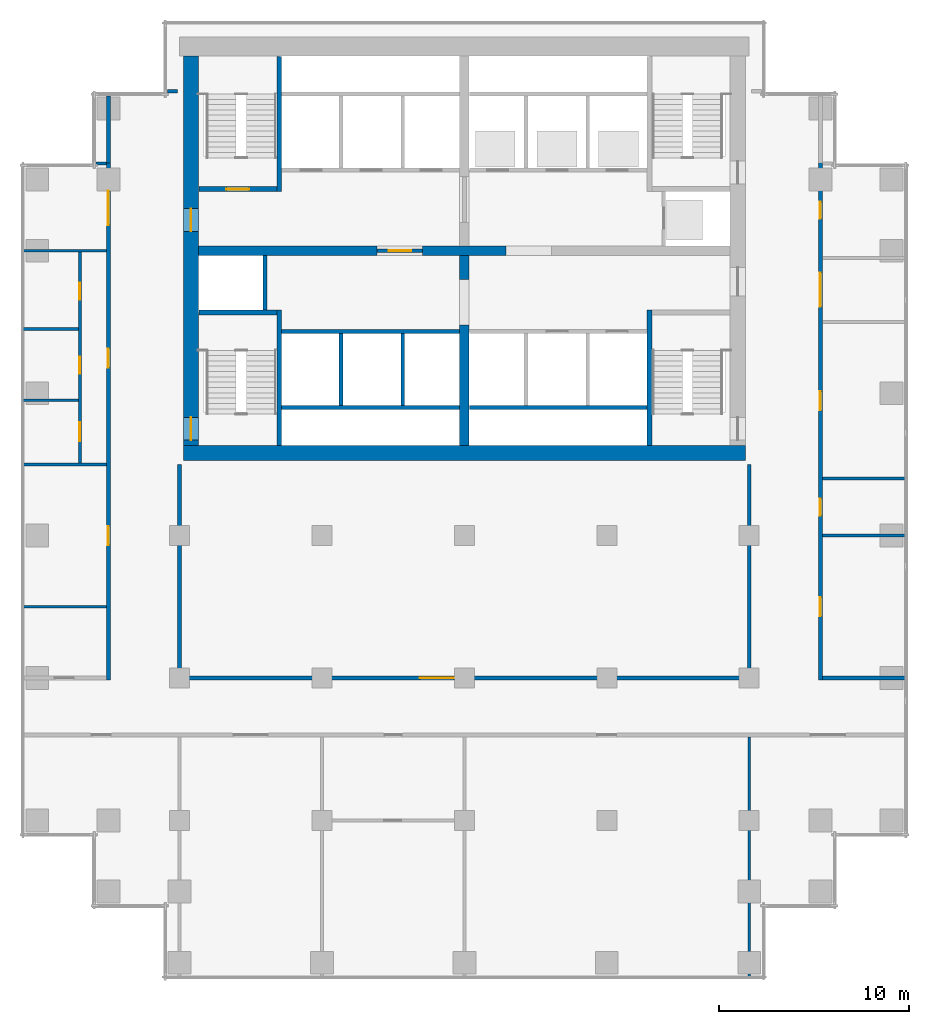
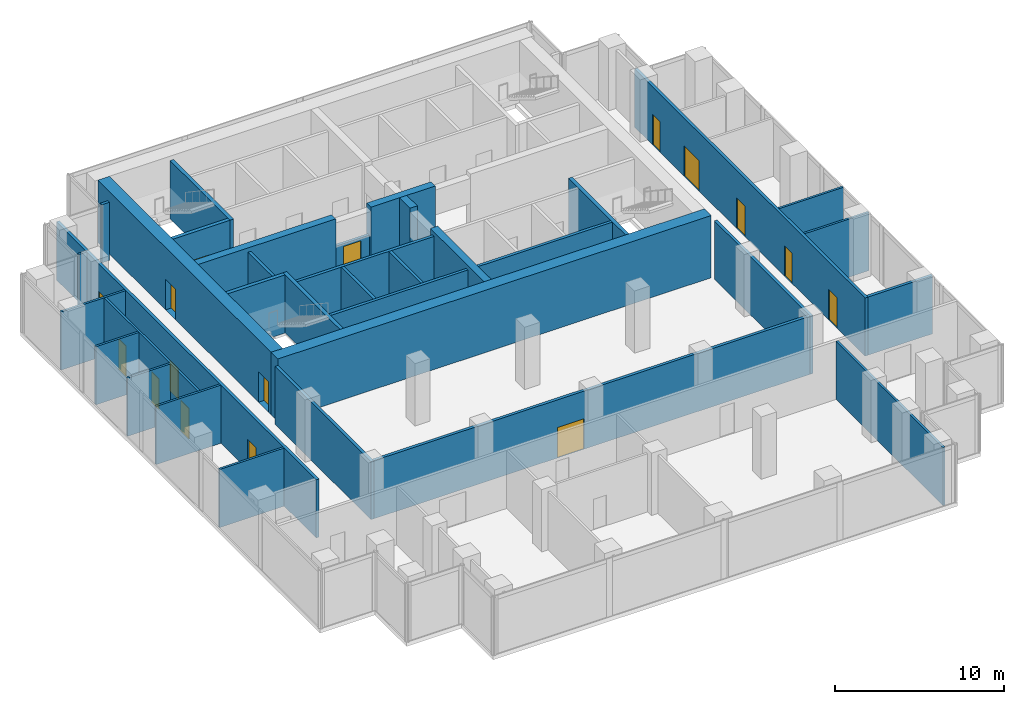
# One storey, part 4 of 8: 36 walls, 16 doors, 16 openings.
"""IFC4 building model written with IfcOpenShell, lengths in metres."""

import ifcopenshell
import ifcopenshell.guid

model = None  # the IFC model being written
_history = None  # IfcOwnerHistory: only IFC2X3 demands one
_inside = {}  # id of a spatial element -> (the spatial element, [elements in it])
_under = {}  # id of a project, library or spatial element -> (it, [spatial elements below it])
_declared = {}  # id of a project -> (the project, [libraries it declares])
_typed = {}  # id of a type object -> (the type object, [elements of that type])
_made_of = {}  # id of a material, layer set ... -> (it, [elements and type objects made of it])


def new_model(schema):
    """Start an empty IFC model of exactly this schema.

    Asked for "IFC4X3", IfcOpenShell would pick the latest addendum, in which some entities
    have other attributes; the version numbers below select the first issue.
    IFC2X3 requires an IfcOwnerHistory on every rooted entity: one is made here for all.
    """
    global model, _history
    if schema == "IFC4X3":
        model = ifcopenshell.file(schema_version=(4, 3, 0, 0))
    else:
        model = ifcopenshell.file(schema=schema)
    _inside.clear()
    _under.clear()
    _declared.clear()
    _typed.clear()
    _made_of.clear()
    _history = None
    if model.schema == "IFC2X3":
        org = make("IfcOrganization", Name="unknown")
        user = make(
            "IfcPersonAndOrganization",
            ThePerson=make("IfcPerson", FamilyName="unknown"),
            TheOrganization=org,
        )
        app = make(
            "IfcApplication",
            ApplicationDeveloper=org,
            Version="unknown",
            ApplicationFullName="unknown",
            ApplicationIdentifier="unknown",
        )
        _history = make(
            "IfcOwnerHistory",
            OwningUser=user,
            OwningApplication=app,
            ChangeAction="ADDED",
            CreationDate=0,
        )
    return model


def make(cls, **values):
    """One entity of the class cls with the attributes given. An attribute that is None is left unset."""
    return model.create_entity(
        cls, **{name: value for name, value in values.items() if value is not None}
    )


def rooted(cls, **values):
    """An entity with a GlobalId (a new one), such as an element, a storey or a relation."""
    return make(cls, GlobalId=ifcopenshell.guid.new(), OwnerHistory=_history, **values)


def si_unit(unit_type, name, prefix=None):
    """IfcSIUnit, for example si_unit("LENGTHUNIT", "METRE", prefix="MILLI")."""
    return make("IfcSIUnit", UnitType=unit_type, Prefix=prefix, Name=name)


def assignment(units):
    """IfcUnitAssignment: the units of a project."""
    return None if units is None else make("IfcUnitAssignment", Units=units)


def point(xyz):
    """IfcCartesianPoint."""
    return None if xyz is None else make("IfcCartesianPoint", Coordinates=xyz)


def direction(xyz):
    """IfcDirection."""
    return None if xyz is None else make("IfcDirection", DirectionRatios=xyz)


def frame(location, z_axis=None, x_axis=None):
    """IfcAxis2Placement3D, a coordinate frame: its origin and axes. An axis left out is left unset."""
    return make(
        "IfcAxis2Placement3D",
        Location=point(location),
        Axis=direction(z_axis),
        RefDirection=direction(x_axis),
    )


def frame_2d(location, x_axis=None):
    """IfcAxis2Placement2D, a coordinate frame in the plane: its origin and x axis."""
    return make(
        "IfcAxis2Placement2D", Location=point(location), RefDirection=direction(x_axis)
    )


def origin():
    """The frame at (0, 0, 0) with its axes left unset."""
    return frame((0.0, 0.0, 0.0))


def place(relative_to, where):
    """IfcLocalPlacement: puts the frame where relative to a parent placement (None: the world)."""
    return make(
        "IfcLocalPlacement", PlacementRelTo=relative_to, RelativePlacement=where
    )


def context(
    kind, dimensions, precision=None, world=None, true_north=None, identifier=None
):
    """IfcGeometricRepresentationContext, for example the 3D "Model" context."""
    return make(
        "IfcGeometricRepresentationContext",
        ContextIdentifier=identifier,
        ContextType=kind,
        CoordinateSpaceDimension=dimensions,
        Precision=precision,
        WorldCoordinateSystem=world,
        TrueNorth=true_north,
    )


def subcontext(parent, identifier, kind, view, scale=None):
    """IfcGeometricRepresentationSubContext, for example "Body" below "Model"."""
    return make(
        "IfcGeometricRepresentationSubContext",
        ContextIdentifier=identifier,
        ContextType=kind,
        ParentContext=parent,
        TargetScale=scale,
        TargetView=view,
    )


def project(units=None, contexts=None):
    """IfcProject with its units and contexts."""
    return rooted(
        "IfcProject",
        Name="project",
        RepresentationContexts=contexts,
        UnitsInContext=assignment(units),
    )


def spatial(cls, under=None, at=None, **own):
    """A site, building, storey or space (cls), placed at a placement, below another one or the project."""
    s = rooted(cls, ObjectPlacement=at, **own)
    if under is not None:
        _under.setdefault(under.id(), (under, []))[1].append(s)
    return s


def profile(cls, at=None, kind="AREA", **sizes):
    """A parametric profile (cls). Its sizes go by their IFC names, for example OverallWidth=200.0."""
    return make(cls, ProfileType=kind, Position=at, **sizes)


def rectangle(**sizes):
    """IfcRectangleProfileDef."""
    return profile("IfcRectangleProfileDef", **sizes)


def extrude(swept, where, along, depth):
    """IfcExtrudedAreaSolid: the profile swept, set in the frame where, extruded along a direction by depth."""
    return make(
        "IfcExtrudedAreaSolid",
        SweptArea=swept,
        Position=where,
        ExtrudedDirection=direction(along),
        Depth=depth,
    )


def shape(context_of_items, identifier, shape_type, items):
    """IfcShapeRepresentation: the items that make up one representation, for example the "Body"."""
    return make(
        "IfcShapeRepresentation",
        ContextOfItems=context_of_items,
        RepresentationIdentifier=identifier,
        RepresentationType=shape_type,
        Items=items,
    )


def material(Name=None, Category=None):
    """IfcMaterial."""
    return make("IfcMaterial", Name=Name, Category=Category)


def layer(
    of_material, thickness, ventilated=None, Name=None, Category=None, Priority=None
):
    """IfcMaterialLayer: one layer of a wall or slab, of a material (None: an air gap)."""
    return make(
        "IfcMaterialLayer",
        Material=of_material,
        LayerThickness=thickness,
        IsVentilated=ventilated,
        Name=Name,
        Category=Category,
        Priority=Priority,
    )


def layer_set(layers, Name=None):
    """IfcMaterialLayerSet."""
    return make("IfcMaterialLayerSet", MaterialLayers=layers, LayerSetName=Name)


def made_of(thing, what):
    """Note that an element or type object is made of a material, layer set ...; save() writes the relation."""
    if what is not None:
        _made_of.setdefault(what.id(), (what, []))[1].append(thing)
    return thing


def type_object(cls, material=None, **own):
    """A type object (cls), such as IfcWallType, which elements share."""
    return made_of(rooted(cls, **own), material)


def element(
    cls,
    number,
    at=None,
    inside=None,
    cuts=None,
    type_object=None,
    material=None,
    context=None,
    identifier="Body",
    shape_type=None,
    held_by="IfcProductDefinitionShape",
    body=None,
    shapes=None,
    **own,
):
    """One element of the class cls, such as IfcWall. Its Tag is "e" and its number.

    at: its placement. inside: the storey or other place that contains it. cuts: it is an
    opening in that element (IfcRelVoidsElement). A single representation is given by context,
    identifier, shape_type and body (its items); several are given by shapes. held_by: the class
    of the entity that holds the representations. save() writes the other relations.
    """
    e = rooted(cls, Tag="e%d" % number, ObjectPlacement=at, **own)
    if body is not None:
        shapes = [shape(context, identifier, shape_type, body)]
    if shapes is not None:
        e.Representation = make(held_by, Representations=shapes)
    if inside is not None:
        _inside.setdefault(inside.id(), (inside, []))[1].append(e)
    if cuts is not None:
        rooted(
            "IfcRelVoidsElement", RelatingBuildingElement=cuts, RelatedOpeningElement=e
        )
    if type_object is not None:
        _typed.setdefault(type_object.id(), (type_object, []))[1].append(e)
    return made_of(e, material)


def fill(opening, filler):
    """IfcRelFillsElement: the door or window that sits in an opening."""
    return rooted(
        "IfcRelFillsElement",
        RelatingOpeningElement=opening,
        RelatedBuildingElement=filler,
    )


def aggregate(whole, parts):
    """IfcRelAggregates: a whole, such as a stair, and the parts it consists of."""
    return rooted("IfcRelAggregates", RelatingObject=whole, RelatedObjects=parts)


def save(model, path):
    """Write the relations noted so far, then the file.

    IfcRelAggregates (storeys below a building ...), IfcRelContainedInSpatialStructure (elements
    in a storey), IfcRelDefinesByType, IfcRelAssociatesMaterial and IfcRelDeclares: one each for
    every whole, place, type object, material and project.
    """
    for whole, parts in _under.values():
        aggregate(whole, parts)
    for where, things in _inside.values():
        rooted(
            "IfcRelContainedInSpatialStructure",
            RelatedElements=things,
            RelatingStructure=where,
        )
    for kind, things in _typed.values():
        rooted("IfcRelDefinesByType", RelatedObjects=things, RelatingType=kind)
    for what, things in _made_of.values():
        rooted("IfcRelAssociatesMaterial", RelatedObjects=things, RelatingMaterial=what)
    for by, libraries in _declared.values():
        rooted("IfcRelDeclares", RelatingContext=by, RelatedDefinitions=libraries)
    model.write(path)


model = new_model("IFC4")

# Units and contexts
model_context = context("Model", 3, precision=1e-05, world=origin(), true_north=direction((0.0, 1.0)))
body_context = subcontext(model_context, "Body", "Model", "MODEL_VIEW")
ifc_project = project(units=[si_unit("LENGTHUNIT", "METRE"), si_unit("AREAUNIT", "SQUARE_METRE"), si_unit("VOLUMEUNIT", "CUBIC_METRE"), si_unit("PLANEANGLEUNIT", "RADIAN"), si_unit("MASSUNIT", "GRAM", prefix="KILO")], contexts=[model_context])

# Site, building, storey
site_placement = place(None, origin())
site = spatial("IfcSite", under=ifc_project, at=site_placement, CompositionType="ELEMENT")
building_placement = place(site_placement, origin())
building = spatial("IfcBuilding", under=site, at=building_placement, Name="Pilkhan Gate Tower", CompositionType="ELEMENT")
storey_placement = place(building_placement, frame((0.0, 0.0, 143.199951171875)))
storey = spatial("IfcBuildingStorey", under=building, at=storey_placement, Name="L36", CompositionType="ELEMENT", Elevation=143.199951171875)

# Wall
ifc_material_1 = material(Name="Concrete C60/75", Category="concrete")
ifc_layer_1 = layer(ifc_material_1, 0.800048828125)
ifc_layer_set_1 = layer_set([ifc_layer_1], Name="Core wall CW800 C60/75")
wall_type_1 = type_object("IfcWallType", Name="Core wall CW800 C60/75", PredefinedType="SHEAR", material=ifc_layer_set_1)
wall_1_placement = place(storey_placement, frame((60.199951171875, 71.85009765625, 0.0), z_axis=(0.0, 0.0, 1.0), x_axis=(1.0, 0.0, 0.0)))
element("IfcWall", 1, at=wall_1_placement, inside=storey, type_object=wall_type_1, Name="Core wall S L36", PredefinedType="SHEAR", context=body_context, shape_type="SweptSolid", body=[
    extrude(rectangle(XDim=29.60009765625, YDim=0.800048828125, at=frame_2d((14.800048828125, 0.0))), origin(), (0.0, 0.0, 1.0), 4.5),
])

# Wall, openings, doors
wall_2_placement = place(storey_placement, frame((60.60009765625, 92.75, 0.0), z_axis=(0.0, 0.0, 1.0), x_axis=(0.0, -1.0, 0.0)))
wall_2 = element("IfcWall", 2, at=wall_2_placement, inside=storey, type_object=wall_type_1, Name="Core wall W L36", PredefinedType="SHEAR", context=body_context, shape_type="SweptSolid", body=[
    extrude(rectangle(XDim=20.5, YDim=0.800048828125, at=frame_2d((10.25, 0.0))), origin(), (0.0, 0.0, 1.0), 4.5),
])
opening_1_placement = place(wall_2_placement, frame((19.02490234375, 0.0, 0.0)))
opening_1 = element("IfcOpeningElement", 3, at=opening_1_placement, cuts=wall_2, Name="Opening L36-04", PredefinedType="OPENING", context=body_context, shape_type="SweptSolid", body=[
    extrude(rectangle(XDim=1.199951171875, YDim=2.199951171875, at=frame_2d((0.60009765625, 1.10009765625))), frame((0.0, 0.409912109375, 0.0), z_axis=(0.0, -1.0, 0.0), x_axis=(1.0, 0.0, 0.0)), (0.0, 0.0, 1.0), 0.820068359375),
])
opening_2_placement = place(wall_2_placement, frame((8.02490234375, 0.0, 0.0)))
opening_2 = element("IfcOpeningElement", 4, at=opening_2_placement, cuts=wall_2, Name="Opening L36-08", PredefinedType="OPENING", context=body_context, shape_type="SweptSolid", body=[
    extrude(rectangle(XDim=1.199951171875, YDim=2.199951171875, at=frame_2d((0.60009765625, 1.10009765625))), frame((0.0, 0.409912109375, 0.0), z_axis=(0.0, -1.0, 0.0), x_axis=(1.0, 0.0, 0.0)), (0.0, 0.0, 1.0), 0.820068359375),
])
ifc_material_2 = material(Name="Steel door, 120 minute fire resisting, self-closing", Category="steel")
door_type_1 = type_object("IfcDoorType", Name="Firefighting lobby door D10 1200x2200", OperationType="SINGLE_SWING_LEFT", PredefinedType="DOOR", material=ifc_material_2)
door_1_placement = place(opening_2_placement, origin())
door_1 = element("IfcDoor", 5, at=door_1_placement, inside=storey, type_object=door_type_1, Name="Core door", OperationType="SINGLE_SWING_LEFT", OverallHeight=2.199951171875, OverallWidth=1.199951171875, PredefinedType="DOOR", context=body_context, shape_type="SweptSolid", body=[
    extrude(rectangle(XDim=1.199951171875, YDim=2.199951171875, at=frame_2d((0.60009765625, 1.10009765625))), frame((0.0, 0.02490234375, 0.0), z_axis=(0.0, -1.0, 0.0), x_axis=(1.0, 0.0, 0.0)), (0.0, 0.0, 1.0), 0.050048828125),
])
fill(opening_2, door_1)
ifc_material_3 = material(Name="Steel door, 120 minute fire resisting, panic bar", Category="steel")
door_type_2 = type_object("IfcDoorType", Name="Stair door D11 1200x2200", OperationType="SINGLE_SWING_LEFT", PredefinedType="DOOR", material=ifc_material_3)
door_2_placement = place(opening_1_placement, origin())
door_2 = element("IfcDoor", 6, at=door_2_placement, inside=storey, type_object=door_type_2, Name="Stair ST2 door", OperationType="SINGLE_SWING_LEFT", OverallHeight=2.199951171875, OverallWidth=1.199951171875, PredefinedType="DOOR", context=body_context, shape_type="SweptSolid", body=[
    extrude(rectangle(XDim=1.199951171875, YDim=2.199951171875, at=frame_2d((0.60009765625, 1.10009765625))), frame((0.0, 0.02490234375, 0.0), z_axis=(0.0, -1.0, 0.0), x_axis=(1.0, 0.0, 0.0)), (0.0, 0.0, 1.0), 0.050048828125),
])
fill(opening_1, door_2)

# Wall, opening, door
ifc_material_4 = material(Name="Dense blockwork", Category="masonry")
ifc_layer_2 = layer(ifc_material_4, 0.199951171875)
ifc_layer_set_2 = layer_set([ifc_layer_2], Name="Corridor wall FW200")
wall_type_2 = type_object("IfcWallType", Name="Corridor wall FW200", PredefinedType="PARTITIONING", material=ifc_layer_set_2)
wall_3_placement = place(storey_placement, frame((60.10009765625, 60.0, 0.0), z_axis=(0.0, 0.0, 1.0), x_axis=(1.0, 0.0, 0.0)))
wall_3 = element("IfcWall", 7, at=wall_3_placement, inside=storey, type_object=wall_type_2, Name="Partition L36", PredefinedType="PARTITIONING", context=body_context, shape_type="SweptSolid", body=[
    extrude(rectangle(XDim=29.7998046875, YDim=0.199951171875, at=frame_2d((14.89990234375, 0.0))), origin(), (0.0, 0.0, 1.0), 4.199951171875),
])
opening_3_placement = place(wall_3_placement, frame((12.550048828125, 0.0, 0.0)))
opening_3 = element("IfcOpeningElement", 8, at=opening_3_placement, cuts=wall_3, Name="Opening L36-09", PredefinedType="OPENING", context=body_context, shape_type="SweptSolid", body=[
    extrude(rectangle(XDim=1.800048828125, YDim=2.199951171875, at=frame_2d((0.89990234375, 1.10009765625))), frame((0.0, 0.10986328125, 0.0), z_axis=(0.0, -1.0, 0.0), x_axis=(1.0, 0.0, 0.0)), (0.0, 0.0, 1.0), 0.219970703125),
])
ifc_material_5 = material(Name="Timber glazed double door, 30 minute fire resisting", Category="wood")
door_type_3 = type_object("IfcDoorType", Name="Double door D04 1800x2200", OperationType="DOUBLE_DOOR_SINGLE_SWING", PredefinedType="DOOR", material=ifc_material_5)
door_3_placement = place(opening_3_placement, origin())
door_3 = element("IfcDoor", 9, at=door_3_placement, inside=storey, type_object=door_type_3, Name="Double door", OperationType="DOUBLE_DOOR_SINGLE_SWING", OverallHeight=2.199951171875, OverallWidth=1.800048828125, PredefinedType="DOOR", context=body_context, shape_type="SweptSolid", body=[
    extrude(rectangle(XDim=1.800048828125, YDim=2.199951171875, at=frame_2d((0.89990234375, 1.10009765625))), frame((0.0, 0.02490234375, 0.0), z_axis=(0.0, -1.0, 0.0), x_axis=(1.0, 0.0, 0.0)), (0.0, 0.0, 1.0), 0.050048828125),
])
fill(opening_3, door_3)

# Walls
wall_4_placement = place(storey_placement, frame((93.85009765625, 60.0, 0.0), z_axis=(0.0, 0.0, 1.0), x_axis=(1.0, 0.0, 0.0)))
element("IfcWall", 10, at=wall_4_placement, inside=storey, type_object=wall_type_2, Name="Partition L36", PredefinedType="PARTITIONING", context=body_context, shape_type="SweptSolid", body=[
    extrude(rectangle(XDim=4.414794921875, YDim=0.199951171875, at=frame_2d((2.20751953125, 0.0))), origin(), (0.0, 0.0, 1.0), 4.199951171875),
])
wall_5_placement = place(storey_placement, frame((59.35498046875, 90.89990234375, 0.0), z_axis=(0.0, 0.0, 1.0), x_axis=(1.0, 0.0, 0.0)))
element("IfcWall", 11, at=wall_5_placement, inside=storey, type_object=wall_type_2, Name="Partition L36", PredefinedType="PARTITIONING", context=body_context, shape_type="SweptSolid", body=[
    extrude(rectangle(XDim=0.52490234375, YDim=0.199951171875, at=frame_2d((0.262451171875, 0.0))), origin(), (0.0, 0.0, 1.0), 4.199951171875),
])

# Wall, openings, doors
wall_6_placement = place(storey_placement, frame((56.25, 59.89990234375, 0.0), z_axis=(0.0, 0.0, 1.0), x_axis=(0.0, 1.0, 0.0)))
wall_6 = element("IfcWall", 12, at=wall_6_placement, inside=storey, type_object=wall_type_2, Name="Partition L36", PredefinedType="PARTITIONING", context=body_context, shape_type="SweptSolid", body=[
    extrude(rectangle(XDim=27.275146484375, YDim=0.199951171875, at=frame_2d((13.6376953125, 0.0))), origin(), (0.0, 0.0, 1.0), 4.199951171875),
])
opening_4_placement = place(wall_6_placement, frame((16.449951171875, 0.0, 0.0)))
opening_4 = element("IfcOpeningElement", 13, at=opening_4_placement, cuts=wall_6, Name="Opening L36-06", PredefinedType="OPENING", context=body_context, shape_type="SweptSolid", body=[
    extrude(rectangle(XDim=1.0, YDim=2.199951171875, at=frame_2d((0.5, 1.10009765625))), frame((0.0, 0.10986328125, 0.0), z_axis=(0.0, -1.0, 0.0), x_axis=(1.0, 0.0, 0.0)), (0.0, 0.0, 1.0), 0.219970703125),
])
opening_5_placement = place(wall_6_placement, frame((7.10009765625, 0.0, 0.0)))
opening_5 = element("IfcOpeningElement", 14, at=opening_5_placement, cuts=wall_6, Name="Opening L36-20", PredefinedType="OPENING", context=body_context, shape_type="SweptSolid", body=[
    extrude(rectangle(XDim=1.0, YDim=2.199951171875, at=frame_2d((0.5, 1.10009765625))), frame((0.0, 0.10986328125, 0.0), z_axis=(0.0, -1.0, 0.0), x_axis=(1.0, 0.0, 0.0)), (0.0, 0.0, 1.0), 0.219970703125),
])
opening_6_placement = place(wall_6_placement, frame((23.949951171875, 0.0, 0.0)))
opening_6 = element("IfcOpeningElement", 15, at=opening_6_placement, cuts=wall_6, Name="Opening L36-21", PredefinedType="OPENING", context=body_context, shape_type="SweptSolid", body=[
    extrude(rectangle(XDim=1.800048828125, YDim=2.199951171875, at=frame_2d((0.89990234375, 1.10009765625))), frame((0.0, 0.10986328125, 0.0), z_axis=(0.0, -1.0, 0.0), x_axis=(1.0, 0.0, 0.0)), (0.0, 0.0, 1.0), 0.219970703125),
])
door_4_placement = place(opening_6_placement, origin())
door_4 = element("IfcDoor", 16, at=door_4_placement, inside=storey, type_object=door_type_3, Name="Double door", OperationType="DOUBLE_DOOR_SINGLE_SWING", OverallHeight=2.199951171875, OverallWidth=1.800048828125, PredefinedType="DOOR", context=body_context, shape_type="SweptSolid", body=[
    extrude(rectangle(XDim=1.800048828125, YDim=2.199951171875, at=frame_2d((0.89990234375, 1.10009765625))), frame((0.0, 0.02490234375, 0.0), z_axis=(0.0, -1.0, 0.0), x_axis=(1.0, 0.0, 0.0)), (0.0, 0.0, 1.0), 0.050048828125),
])
fill(opening_6, door_4)
ifc_material_6 = material(Name="Timber flush door, 30 minute fire resisting", Category="wood")
door_type_4 = type_object("IfcDoorType", Name="Room door D03 1000x2200", OperationType="SINGLE_SWING_LEFT", PredefinedType="DOOR", material=ifc_material_6)
door_5_placement = place(opening_4_placement, origin())
door_5 = element("IfcDoor", 17, at=door_5_placement, inside=storey, type_object=door_type_4, Name="Toilet lobby door", OperationType="SINGLE_SWING_LEFT", OverallHeight=2.199951171875, OverallWidth=1.0, PredefinedType="DOOR", context=body_context, shape_type="SweptSolid", body=[
    extrude(rectangle(XDim=1.0, YDim=2.199951171875, at=frame_2d((0.5, 1.10009765625))), frame((0.0, 0.02490234375, 0.0), z_axis=(0.0, -1.0, 0.0), x_axis=(1.0, 0.0, 0.0)), (0.0, 0.0, 1.0), 0.050048828125),
])
fill(opening_4, door_5)
door_6_placement = place(opening_5_placement, origin())
door_6 = element("IfcDoor", 18, at=door_6_placement, inside=storey, type_object=door_type_4, Name="Room door", OperationType="SINGLE_SWING_LEFT", OverallHeight=2.199951171875, OverallWidth=1.0, PredefinedType="DOOR", context=body_context, shape_type="SweptSolid", body=[
    extrude(rectangle(XDim=1.0, YDim=2.199951171875, at=frame_2d((0.5, 1.10009765625))), frame((0.0, 0.02490234375, 0.0), z_axis=(0.0, -1.0, 0.0), x_axis=(1.0, 0.0, 0.0)), (0.0, 0.0, 1.0), 0.050048828125),
])
fill(opening_5, door_6)

# Walls
wall_7_placement = place(storey_placement, frame((56.25, 87.1298828125, 0.0), z_axis=(0.0, 0.0, 1.0), x_axis=(0.0, 1.0, 0.0)))
element("IfcWall", 19, at=wall_7_placement, inside=storey, type_object=wall_type_2, Name="Partition L36", PredefinedType="PARTITIONING", context=body_context, shape_type="SweptSolid", body=[
    extrude(rectangle(XDim=3.51513671875, YDim=0.199951171875, at=frame_2d((1.757568359375, 0.0))), origin(), (0.0, 0.0, 1.0), 4.199951171875),
])
for number, where, z_axis, x_axis, name in (
    (20, (60.0, 59.89990234375, 0.0), (0.0, 0.0, 1.0), (0.0, 1.0, 0.0), "Partition L36"),
    (21, (90.0, 59.89990234375, 0.0), (0.0, 0.0, 1.0), (0.0, 1.0, 0.0), "Partition L36"),
):
    element("IfcWall", number, at=place(storey_placement, frame(where, z_axis=z_axis, x_axis=x_axis)), inside=storey, type_object=wall_type_2, Name=name, PredefinedType="PARTITIONING", context=body_context, shape_type="SweptSolid", body=[
        extrude(rectangle(XDim=11.35009765625, YDim=0.199951171875, at=frame_2d((5.675048828125, 0.0))), origin(), (0.0, 0.0, 1.0), 4.199951171875),
    ])

# Wall, openings, doors
wall_8_placement = place(storey_placement, frame((93.75, 59.89990234375, 0.0), z_axis=(0.0, 0.0, 1.0), x_axis=(0.0, 1.0, 0.0)))
wall_8 = element("IfcWall", 22, at=wall_8_placement, inside=storey, type_object=wall_type_2, Name="Partition L36", PredefinedType="PARTITIONING", context=body_context, shape_type="SweptSolid", body=[
    extrude(rectangle(XDim=27.275146484375, YDim=0.199951171875, at=frame_2d((13.6376953125, 0.0))), origin(), (0.0, 0.0, 1.0), 4.199951171875),
])
opening_7_placement = place(wall_8_placement, frame((3.35009765625, 0.0, 0.0)))
opening_7 = element("IfcOpeningElement", 23, at=opening_7_placement, cuts=wall_8, Name="Opening L36-22", PredefinedType="OPENING", context=body_context, shape_type="SweptSolid", body=[
    extrude(rectangle(XDim=1.0, YDim=2.199951171875, at=frame_2d((0.5, 1.10009765625))), frame((0.0, 0.10986328125, 0.0), z_axis=(0.0, -1.0, 0.0), x_axis=(1.0, 0.0, 0.0)), (0.0, 0.0, 1.0), 0.219970703125),
])
opening_8_placement = place(wall_8_placement, frame((8.64990234375, 0.0, 0.0)))
opening_8 = element("IfcOpeningElement", 24, at=opening_8_placement, cuts=wall_8, Name="Opening L36-23", PredefinedType="OPENING", context=body_context, shape_type="SweptSolid", body=[
    extrude(rectangle(XDim=0.89990234375, YDim=2.199951171875, at=frame_2d((0.449951171875, 1.10009765625))), frame((0.0, 0.10986328125, 0.0), z_axis=(0.0, -1.0, 0.0), x_axis=(1.0, 0.0, 0.0)), (0.0, 0.0, 1.0), 0.219970703125),
])
opening_9_placement = place(wall_8_placement, frame((14.199951171875, 0.0, 0.0)))
opening_9 = element("IfcOpeningElement", 25, at=opening_9_placement, cuts=wall_8, Name="Opening L36-24", PredefinedType="OPENING", context=body_context, shape_type="SweptSolid", body=[
    extrude(rectangle(XDim=1.0, YDim=2.199951171875, at=frame_2d((0.5, 1.10009765625))), frame((0.0, 0.10986328125, 0.0), z_axis=(0.0, -1.0, 0.0), x_axis=(1.0, 0.0, 0.0)), (0.0, 0.0, 1.0), 0.219970703125),
])
opening_10_placement = place(wall_8_placement, frame((19.64990234375, 0.0, 0.0)))
opening_10 = element("IfcOpeningElement", 26, at=opening_10_placement, cuts=wall_8, Name="Opening L36-25", PredefinedType="OPENING", context=body_context, shape_type="SweptSolid", body=[
    extrude(rectangle(XDim=1.800048828125, YDim=2.199951171875, at=frame_2d((0.89990234375, 1.10009765625))), frame((0.0, 0.10986328125, 0.0), z_axis=(0.0, -1.0, 0.0), x_axis=(1.0, 0.0, 0.0)), (0.0, 0.0, 1.0), 0.219970703125),
])
opening_11_placement = place(wall_8_placement, frame((24.27490234375, 0.0, 0.0)))
opening_11 = element("IfcOpeningElement", 27, at=opening_11_placement, cuts=wall_8, Name="Opening L36-26", PredefinedType="OPENING", context=body_context, shape_type="SweptSolid", body=[
    extrude(rectangle(XDim=0.89990234375, YDim=2.199951171875, at=frame_2d((0.449951171875, 1.10009765625))), frame((0.0, 0.10986328125, 0.0), z_axis=(0.0, -1.0, 0.0), x_axis=(1.0, 0.0, 0.0)), (0.0, 0.0, 1.0), 0.219970703125),
])
door_7_placement = place(opening_10_placement, origin())
door_7 = element("IfcDoor", 28, at=door_7_placement, inside=storey, type_object=door_type_3, Name="Double door", OperationType="DOUBLE_DOOR_SINGLE_SWING", OverallHeight=2.199951171875, OverallWidth=1.800048828125, PredefinedType="DOOR", context=body_context, shape_type="SweptSolid", body=[
    extrude(rectangle(XDim=1.800048828125, YDim=2.199951171875, at=frame_2d((0.89990234375, 1.10009765625))), frame((0.0, 0.02490234375, 0.0), z_axis=(0.0, -1.0, 0.0), x_axis=(1.0, 0.0, 0.0)), (0.0, 0.0, 1.0), 0.050048828125),
])
fill(opening_10, door_7)
door_8_placement = place(opening_7_placement, origin())
door_8 = element("IfcDoor", 29, at=door_8_placement, inside=storey, type_object=door_type_4, Name="Room door", OperationType="SINGLE_SWING_RIGHT", OverallHeight=2.199951171875, OverallWidth=1.0, PredefinedType="DOOR", context=body_context, shape_type="SweptSolid", body=[
    extrude(rectangle(XDim=1.0, YDim=2.199951171875, at=frame_2d((0.5, 1.10009765625))), frame((0.0, 0.02490234375, 0.0), z_axis=(0.0, -1.0, 0.0), x_axis=(1.0, 0.0, 0.0)), (0.0, 0.0, 1.0), 0.050048828125),
])
fill(opening_7, door_8)
door_9_placement = place(opening_9_placement, origin())
door_9 = element("IfcDoor", 30, at=door_9_placement, inside=storey, type_object=door_type_4, Name="Room door", OperationType="SINGLE_SWING_RIGHT", OverallHeight=2.199951171875, OverallWidth=1.0, PredefinedType="DOOR", context=body_context, shape_type="SweptSolid", body=[
    extrude(rectangle(XDim=1.0, YDim=2.199951171875, at=frame_2d((0.5, 1.10009765625))), frame((0.0, 0.02490234375, 0.0), z_axis=(0.0, -1.0, 0.0), x_axis=(1.0, 0.0, 0.0)), (0.0, 0.0, 1.0), 0.050048828125),
])
fill(opening_9, door_9)
ifc_material_7 = material(Name="Timber flush door, 60 minute fire resisting, self-closing", Category="wood")
door_type_5 = type_object("IfcDoorType", Name="Store door D05 900x2200", OperationType="SINGLE_SWING_LEFT", PredefinedType="DOOR", material=ifc_material_7)
door_10_placement = place(opening_8_placement, origin())
door_10 = element("IfcDoor", 31, at=door_10_placement, inside=storey, type_object=door_type_5, Name="Store door", OperationType="SINGLE_SWING_LEFT", OverallHeight=2.199951171875, OverallWidth=0.89990234375, PredefinedType="DOOR", context=body_context, shape_type="SweptSolid", body=[
    extrude(rectangle(XDim=0.89990234375, YDim=2.199951171875, at=frame_2d((0.449951171875, 1.10009765625))), frame((0.0, 0.02490234375, 0.0), z_axis=(0.0, -1.0, 0.0), x_axis=(1.0, 0.0, 0.0)), (0.0, 0.0, 1.0), 0.050048828125),
])
fill(opening_8, door_10)
door_11_placement = place(opening_11_placement, origin())
door_11 = element("IfcDoor", 32, at=door_11_placement, inside=storey, type_object=door_type_5, Name="Store door", OperationType="SINGLE_SWING_LEFT", OverallHeight=2.199951171875, OverallWidth=0.89990234375, PredefinedType="DOOR", context=body_context, shape_type="SweptSolid", body=[
    extrude(rectangle(XDim=0.89990234375, YDim=2.199951171875, at=frame_2d((0.449951171875, 1.10009765625))), frame((0.0, 0.02490234375, 0.0), z_axis=(0.0, -1.0, 0.0), x_axis=(1.0, 0.0, 0.0)), (0.0, 0.0, 1.0), 0.050048828125),
])
fill(opening_11, door_11)

# Wall, opening, door
ifc_layer_3 = layer(ifc_material_4, 0.199951171875)
ifc_layer_set_3 = layer_set([ifc_layer_3], Name="Lobby wall LW200")
wall_type_3 = type_object("IfcWallType", Name="Lobby wall LW200", PredefinedType="PARTITIONING", material=ifc_layer_set_3)
wall_9_placement = place(storey_placement, frame((70.409912109375, 82.5, 0.0), z_axis=(0.0, 0.0, 1.0), x_axis=(1.0, 0.0, 0.0)))
wall_9 = element("IfcWall", 33, at=wall_9_placement, inside=storey, type_object=wall_type_3, Name="Partition L36", PredefinedType="PARTITIONING", context=body_context, shape_type="SweptSolid", body=[
    extrude(rectangle(XDim=2.380126953125, YDim=0.199951171875, at=frame_2d((1.18994140625, 0.0))), origin(), (0.0, 0.0, 1.0), 2.400146484375),
])
opening_12_placement = place(wall_9_placement, frame((0.60009765625, 0.0, 0.0)))
opening_12 = element("IfcOpeningElement", 34, at=opening_12_placement, cuts=wall_9, Name="Opening L36-01", PredefinedType="OPENING", context=body_context, shape_type="SweptSolid", body=[
    extrude(rectangle(XDim=1.199951171875, YDim=2.199951171875, at=frame_2d((0.60009765625, 1.10009765625))), frame((0.0, 0.10986328125, 0.0), z_axis=(0.0, -1.0, 0.0), x_axis=(1.0, 0.0, 0.0)), (0.0, 0.0, 1.0), 0.219970703125),
])
door_12_placement = place(opening_12_placement, origin())
door_12 = element("IfcDoor", 35, at=door_12_placement, inside=storey, type_object=door_type_1, Name="Firefighting lobby door", OperationType="SINGLE_SWING_LEFT", OverallHeight=2.199951171875, OverallWidth=1.199951171875, PredefinedType="DOOR", context=body_context, shape_type="SweptSolid", body=[
    extrude(rectangle(XDim=1.199951171875, YDim=2.199951171875, at=frame_2d((0.60009765625, 1.10009765625))), frame((0.0, 0.02490234375, 0.0), z_axis=(0.0, -1.0, 0.0), x_axis=(1.0, 0.0, 0.0)), (0.0, 0.0, 1.0), 0.050048828125),
])
fill(opening_12, door_12)

# Walls
ifc_material_8 = material(Name="Blockwork partition, plastered both sides", Category="masonry")
ifc_layer_4 = layer(ifc_material_8, 0.14990234375)
ifc_layer_set_4 = layer_set([ifc_layer_4], Name="Partition PW150")
wall_type_4 = type_object("IfcWallType", Name="Partition PW150", PredefinedType="PARTITIONING", material=ifc_layer_set_4)
for number, where, z_axis, x_axis, name in (
    (36, (51.735107421875, 63.75, 0.0), (0.0, 0.0, 1.0), (1.0, 0.0, 0.0), "Partition L36"),
    (37, (93.85009765625, 67.5, 0.0), (0.0, 0.0, 1.0), (1.0, 0.0, 0.0), "Partition L36"),
    (38, (93.85009765625, 70.5, 0.0), (0.0, 0.0, 1.0), (1.0, 0.0, 0.0), "Partition L36"),
    (39, (51.735107421875, 71.25, 0.0), (0.0, 0.0, 1.0), (1.0, 0.0, 0.0), "Partition L36"),
):
    element("IfcWall", number, at=place(storey_placement, frame(where, z_axis=z_axis, x_axis=x_axis)), inside=storey, type_object=wall_type_4, Name=name, PredefinedType="PARTITIONING", context=body_context, shape_type="SweptSolid", body=[
        extrude(rectangle(XDim=4.414794921875, YDim=0.14990234375, at=frame_2d((2.20751953125, 0.0))), origin(), (0.0, 0.0, 1.0), 4.199951171875),
    ])
for number, where, z_axis, x_axis, name in (
    (40, (51.735107421875, 74.625, 0.0), (0.0, 0.0, 1.0), (1.0, 0.0, 0.0), "Partition L36"),
    (41, (51.735107421875, 78.375, 0.0), (0.0, 0.0, 1.0), (1.0, 0.0, 0.0), "Partition L36"),
):
    element("IfcWall", number, at=place(storey_placement, frame(where, z_axis=z_axis, x_axis=x_axis)), inside=storey, type_object=wall_type_4, Name=name, PredefinedType="PARTITIONING", context=body_context, shape_type="SweptSolid", body=[
        extrude(rectangle(XDim=2.93994140625, YDim=0.14990234375, at=frame_2d((1.469970703125, 0.0))), origin(), (0.0, 0.0, 1.0), 4.199951171875),
    ])
wall_10_placement = place(storey_placement, frame((51.735107421875, 82.5, 0.0), z_axis=(0.0, 0.0, 1.0), x_axis=(1.0, 0.0, 0.0)))
element("IfcWall", 42, at=wall_10_placement, inside=storey, type_object=wall_type_4, Name="Partition L36", PredefinedType="PARTITIONING", context=body_context, shape_type="SweptSolid", body=[
    extrude(rectangle(XDim=4.414794921875, YDim=0.14990234375, at=frame_2d((2.20751953125, 0.0))), origin(), (0.0, 0.0, 1.0), 4.199951171875),
])
wall_11_placement = place(storey_placement, frame((55.60498046875, 87.10009765625, 0.0), z_axis=(0.0, 0.0, 1.0), x_axis=(1.0, 0.0, 0.0)))
element("IfcWall", 43, at=wall_11_placement, inside=storey, type_object=wall_type_4, Name="Partition L36", PredefinedType="PARTITIONING", context=body_context, shape_type="SweptSolid", body=[
    extrude(rectangle(XDim=0.544921875, YDim=0.14990234375, at=frame_2d((0.2724609375, 0.0))), origin(), (0.0, 0.0, 1.0), 4.199951171875),
])

# Wall, openings, doors
wall_12_placement = place(storey_placement, frame((54.75, 71.324951171875, 0.0), z_axis=(0.0, 0.0, 1.0), x_axis=(0.0, 1.0, 0.0)))
wall_12 = element("IfcWall", 44, at=wall_12_placement, inside=storey, type_object=wall_type_4, Name="Partition L36", PredefinedType="PARTITIONING", context=body_context, shape_type="SweptSolid", body=[
    extrude(rectangle(XDim=11.10009765625, YDim=0.14990234375, at=frame_2d((5.550048828125, 0.0))), origin(), (0.0, 0.0, 1.0), 4.199951171875),
])
opening_13_placement = place(wall_12_placement, frame((1.14990234375, 0.0, 0.0)))
opening_13 = element("IfcOpeningElement", 45, at=opening_13_placement, cuts=wall_12, Name="Opening L36-16", PredefinedType="OPENING", context=body_context, shape_type="SweptSolid", body=[
    extrude(rectangle(XDim=1.0, YDim=2.199951171875, at=frame_2d((0.5, 1.10009765625))), frame((0.0, 0.0849609375, 0.0), z_axis=(0.0, -1.0, 0.0), x_axis=(1.0, 0.0, 0.0)), (0.0, 0.0, 1.0), 0.169921875),
])
opening_14_placement = place(wall_12_placement, frame((4.699951171875, 0.0, 0.0)))
opening_14 = element("IfcOpeningElement", 46, at=opening_14_placement, cuts=wall_12, Name="Opening L36-17", PredefinedType="OPENING", context=body_context, shape_type="SweptSolid", body=[
    extrude(rectangle(XDim=0.89990234375, YDim=2.199951171875, at=frame_2d((0.449951171875, 1.10009765625))), frame((0.0, 0.0849609375, 0.0), z_axis=(0.0, -1.0, 0.0), x_axis=(1.0, 0.0, 0.0)), (0.0, 0.0, 1.0), 0.169921875),
])
opening_15_placement = place(wall_12_placement, frame((8.60009765625, 0.0, 0.0)))
opening_15 = element("IfcOpeningElement", 47, at=opening_15_placement, cuts=wall_12, Name="Opening L36-18", PredefinedType="OPENING", context=body_context, shape_type="SweptSolid", body=[
    extrude(rectangle(XDim=0.89990234375, YDim=2.199951171875, at=frame_2d((0.449951171875, 1.10009765625))), frame((0.0, 0.0849609375, 0.0), z_axis=(0.0, -1.0, 0.0), x_axis=(1.0, 0.0, 0.0)), (0.0, 0.0, 1.0), 0.169921875),
])
ifc_material_9 = material(Name="Timber flush door, outward opening, 30 minute fire resisting", Category="wood")
door_type_6 = type_object("IfcDoorType", Name="Accessible toilet door D07 1000x2200", OperationType="SINGLE_SWING_LEFT", PredefinedType="DOOR", material=ifc_material_9)
door_13_placement = place(opening_13_placement, origin())
door_13 = element("IfcDoor", 48, at=door_13_placement, inside=storey, type_object=door_type_6, Name="Accessible toilet door", OperationType="SINGLE_SWING_LEFT", OverallHeight=2.199951171875, OverallWidth=1.0, PredefinedType="DOOR", context=body_context, shape_type="SweptSolid", body=[
    extrude(rectangle(XDim=1.0, YDim=2.199951171875, at=frame_2d((0.5, 1.10009765625))), frame((0.0, 0.02490234375, 0.0), z_axis=(0.0, -1.0, 0.0), x_axis=(1.0, 0.0, 0.0)), (0.0, 0.0, 1.0), 0.050048828125),
])
fill(opening_13, door_13)
door_type_7 = type_object("IfcDoorType", Name="Toilet door D06 900x2200", OperationType="SINGLE_SWING_LEFT", PredefinedType="DOOR", material=ifc_material_6)
door_14_placement = place(opening_14_placement, origin())
door_14 = element("IfcDoor", 49, at=door_14_placement, inside=storey, type_object=door_type_7, Name="Toilet door", OperationType="SINGLE_SWING_LEFT", OverallHeight=2.199951171875, OverallWidth=0.89990234375, PredefinedType="DOOR", context=body_context, shape_type="SweptSolid", body=[
    extrude(rectangle(XDim=0.89990234375, YDim=2.199951171875, at=frame_2d((0.449951171875, 1.10009765625))), frame((0.0, 0.02490234375, 0.0), z_axis=(0.0, -1.0, 0.0), x_axis=(1.0, 0.0, 0.0)), (0.0, 0.0, 1.0), 0.050048828125),
])
fill(opening_14, door_14)
door_15_placement = place(opening_15_placement, origin())
door_15 = element("IfcDoor", 50, at=door_15_placement, inside=storey, type_object=door_type_7, Name="Toilet door", OperationType="SINGLE_SWING_RIGHT", OverallHeight=2.199951171875, OverallWidth=0.89990234375, PredefinedType="DOOR", context=body_context, shape_type="SweptSolid", body=[
    extrude(rectangle(XDim=0.89990234375, YDim=2.199951171875, at=frame_2d((0.449951171875, 1.10009765625))), frame((0.0, 0.02490234375, 0.0), z_axis=(0.0, -1.0, 0.0), x_axis=(1.0, 0.0, 0.0)), (0.0, 0.0, 1.0), 0.050048828125),
])
fill(opening_15, door_15)

# Walls
wall_13_placement = place(storey_placement, frame((90.0, 44.235107421875, 0.0), z_axis=(0.0, 0.0, 1.0), x_axis=(0.0, 1.0, 0.0)))
element("IfcWall", 51, at=wall_13_placement, inside=storey, type_object=wall_type_4, Name="Partition L36", PredefinedType="PARTITIONING", context=body_context, shape_type="SweptSolid", body=[
    extrude(rectangle(XDim=12.664794921875, YDim=0.14990234375, at=frame_2d((6.33251953125, 0.0))), origin(), (0.0, 0.0, 1.0), 4.199951171875),
])
ifc_material_10 = material(Name="Reinforced blockwork shaft wall, 120 minute fire resisting", Category="masonry")
ifc_layer_5 = layer(ifc_material_10, 0.199951171875)
ifc_layer_set_5 = layer_set([ifc_layer_5], Name="Shaft wall SW200")
wall_type_5 = type_object("IfcWallType", Name="Shaft wall SW200", PredefinedType="PARTITIONING", material=ifc_layer_set_5)
for number, where, z_axis, x_axis, name in (
    (52, (65.375, 74.25, 0.0), (0.0, 0.0, 1.0), (1.0, 0.0, 0.0), "Partition L36"),
    (53, (75.260009765625, 74.25, 0.0), (0.0, 0.0, 1.0), (1.0, 0.0, 0.0), "Partition L36"),
    (54, (65.375, 78.25, 0.0), (0.0, 0.0, 1.0), (1.0, 0.0, 0.0), "Partition L36"),
):
    element("IfcWall", number, at=place(storey_placement, frame(where, z_axis=z_axis, x_axis=x_axis)), inside=storey, type_object=wall_type_5, Name=name, PredefinedType="PARTITIONING", context=body_context, shape_type="SweptSolid", body=[
        extrude(rectangle(XDim=9.364990234375, YDim=0.199951171875, at=frame_2d((4.6826171875, 0.0))), origin(), (0.0, 0.0, 1.0), 4.199951171875),
    ])
wall_14_placement = place(storey_placement, frame((64.5, 79.375, 0.0), z_axis=(0.0, 0.0, 1.0), x_axis=(0.0, 1.0, 0.0)))
element("IfcWall", 55, at=wall_14_placement, inside=storey, type_object=wall_type_5, Name="Partition L36", PredefinedType="PARTITIONING", context=body_context, shape_type="SweptSolid", body=[
    extrude(rectangle(XDim=2.864990234375, YDim=0.199951171875, at=frame_2d((1.4326171875, 0.0))), origin(), (0.0, 0.0, 1.0), 4.199951171875),
])
for number, where, z_axis, x_axis, name in (
    (56, (68.5, 74.35009765625, 0.0), (0.0, 0.0, 1.0), (0.0, 1.0, 0.0), "Partition L36"),
    (57, (71.75, 74.35009765625, 0.0), (0.0, 0.0, 1.0), (0.0, 1.0, 0.0), "Partition L36"),
):
    element("IfcWall", number, at=place(storey_placement, frame(where, z_axis=z_axis, x_axis=x_axis)), inside=storey, type_object=wall_type_5, Name=name, PredefinedType="PARTITIONING", context=body_context, shape_type="SweptSolid", body=[
        extrude(rectangle(XDim=3.7998046875, YDim=0.199951171875, at=frame_2d((1.89990234375, 0.0))), origin(), (0.0, 0.0, 1.0), 4.199951171875),
    ])
ifc_layer_6 = layer(ifc_material_1, 0.5)
ifc_layer_set_6 = layer_set([ifc_layer_6], Name="Spine wall SW500 C60/75")
wall_type_6 = type_object("IfcWallType", Name="Spine wall SW500 C60/75", PredefinedType="SHEAR", material=ifc_layer_set_6)
wall_15_placement = place(storey_placement, frame((61.0, 82.5, 0.0), z_axis=(0.0, 0.0, 1.0), x_axis=(1.0, 0.0, 0.0)))
element("IfcWall", 58, at=wall_15_placement, inside=storey, type_object=wall_type_6, Name="Spine wall SP-EW1 L36", PredefinedType="SHEAR", context=body_context, shape_type="SweptSolid", body=[
    extrude(rectangle(XDim=9.39990234375, YDim=0.5, at=frame_2d((4.699951171875, 0.0))), origin(), (0.0, 0.0, 1.0), 4.5),
])
wall_16_placement = place(storey_placement, frame((72.800048828125, 82.5, 0.0), z_axis=(0.0, 0.0, 1.0), x_axis=(1.0, 0.0, 0.0)))
element("IfcWall", 59, at=wall_16_placement, inside=storey, type_object=wall_type_6, Name="Spine wall SP-EW2 L36", PredefinedType="SHEAR", context=body_context, shape_type="SweptSolid", body=[
    extrude(rectangle(XDim=4.39990234375, YDim=0.5, at=frame_2d((2.199951171875, 0.0))), origin(), (0.0, 0.0, 1.0), 4.5),
])
wall_17_placement = place(storey_placement, frame((75.0, 72.25, 0.0), z_axis=(0.0, 0.0, 1.0), x_axis=(0.0, 1.0, 0.0)))
element("IfcWall", 60, at=wall_17_placement, inside=storey, type_object=wall_type_6, Name="Spine wall SP-NS-S1 L36", PredefinedType="SHEAR", context=body_context, shape_type="SweptSolid", body=[
    extrude(rectangle(XDim=6.35009765625, YDim=0.5, at=frame_2d((3.175048828125, 0.0))), origin(), (0.0, 0.0, 1.0), 4.5),
])
wall_18_placement = place(storey_placement, frame((75.0, 81.0, 0.0), z_axis=(0.0, 0.0, 1.0), x_axis=(0.0, 1.0, 0.0)))
element("IfcWall", 61, at=wall_18_placement, inside=storey, type_object=wall_type_6, Name="Spine wall SP-NS-S2 L36", PredefinedType="SHEAR", context=body_context, shape_type="SweptSolid", body=[
    extrude(rectangle(XDim=1.25, YDim=0.5, at=frame_2d((0.625, 0.0))), origin(), (0.0, 0.0, 1.0), 4.5),
])
ifc_material_11 = material(Name="Reinforced blockwork, 120 minute fire resisting", Category="masonry")
ifc_layer_7 = layer(ifc_material_11, 0.25)
ifc_layer_set_7 = layer_set([ifc_layer_7], Name="Stair enclosure wall SE250")
wall_type_7 = type_object("IfcWallType", Name="Stair enclosure wall SE250", PredefinedType="PARTITIONING", material=ifc_layer_set_7)
wall_19_placement = place(storey_placement, frame((61.010009765625, 79.25, 0.0), z_axis=(0.0, 0.0, 1.0), x_axis=(1.0, 0.0, 0.0)))
element("IfcWall", 62, at=wall_19_placement, inside=storey, type_object=wall_type_7, Name="Partition L36", PredefinedType="PARTITIONING", context=body_context, shape_type="SweptSolid", body=[
    extrude(rectangle(XDim=4.114990234375, YDim=0.25, at=frame_2d((2.0576171875, 0.0))), origin(), (0.0, 0.0, 1.0), 4.199951171875),
])

# Wall, opening, door
wall_20_placement = place(storey_placement, frame((61.010009765625, 85.75, 0.0), z_axis=(0.0, 0.0, 1.0), x_axis=(1.0, 0.0, 0.0)))
wall_20 = element("IfcWall", 63, at=wall_20_placement, inside=storey, type_object=wall_type_7, Name="Partition L36", PredefinedType="PARTITIONING", context=body_context, shape_type="SweptSolid", body=[
    extrude(rectangle(XDim=4.114990234375, YDim=0.25, at=frame_2d((2.0576171875, 0.0))), origin(), (0.0, 0.0, 1.0), 4.199951171875),
])
opening_16_placement = place(wall_20_placement, frame((1.449951171875, 0.0, 0.0)))
opening_16 = element("IfcOpeningElement", 64, at=opening_16_placement, cuts=wall_20, Name="Opening L36-02", PredefinedType="OPENING", context=body_context, shape_type="SweptSolid", body=[
    extrude(rectangle(XDim=1.199951171875, YDim=2.199951171875, at=frame_2d((0.60009765625, 1.10009765625))), frame((0.0, 0.135009765625, 0.0), z_axis=(0.0, -1.0, 0.0), x_axis=(1.0, 0.0, 0.0)), (0.0, 0.0, 1.0), 0.27001953125),
])
door_16_placement = place(opening_16_placement, origin())
door_16 = element("IfcDoor", 65, at=door_16_placement, inside=storey, type_object=door_type_2, Name="Stair ST3 lobby door", OperationType="SINGLE_SWING_LEFT", OverallHeight=2.199951171875, OverallWidth=1.199951171875, PredefinedType="DOOR", context=body_context, shape_type="SweptSolid", body=[
    extrude(rectangle(XDim=1.199951171875, YDim=2.199951171875, at=frame_2d((0.60009765625, 1.10009765625))), frame((0.0, 0.02490234375, 0.0), z_axis=(0.0, -1.0, 0.0), x_axis=(1.0, 0.0, 0.0)), (0.0, 0.0, 1.0), 0.050048828125),
])
fill(opening_16, door_16)

# Walls
wall_21_placement = place(storey_placement, frame((65.25, 72.25, 0.0), z_axis=(0.0, 0.0, 1.0), x_axis=(0.0, 1.0, 0.0)))
element("IfcWall", 66, at=wall_21_placement, inside=storey, type_object=wall_type_7, Name="Partition L36", PredefinedType="PARTITIONING", context=body_context, shape_type="SweptSolid", body=[
    extrude(rectangle(XDim=7.125, YDim=0.25, at=frame_2d((3.5625, 0.0))), origin(), (0.0, 0.0, 1.0), 4.199951171875),
])
wall_22_placement = place(storey_placement, frame((65.25, 85.625, 0.0), z_axis=(0.0, 0.0, 1.0), x_axis=(0.0, 1.0, 0.0)))
element("IfcWall", 67, at=wall_22_placement, inside=storey, type_object=wall_type_7, Name="Partition L36", PredefinedType="PARTITIONING", context=body_context, shape_type="SweptSolid", body=[
    extrude(rectangle(XDim=7.114990234375, YDim=0.25, at=frame_2d((3.5576171875, 0.0))), origin(), (0.0, 0.0, 1.0), 4.199951171875),
])
wall_23_placement = place(storey_placement, frame((84.75, 72.25, 0.0), z_axis=(0.0, 0.0, 1.0), x_axis=(0.0, 1.0, 0.0)))
element("IfcWall", 68, at=wall_23_placement, inside=storey, type_object=wall_type_7, Name="Partition L36", PredefinedType="PARTITIONING", context=body_context, shape_type="SweptSolid", body=[
    extrude(rectangle(XDim=7.125, YDim=0.25, at=frame_2d((3.5625, 0.0))), origin(), (0.0, 0.0, 1.0), 4.199951171875),
])

save(model, "model.ifc")
